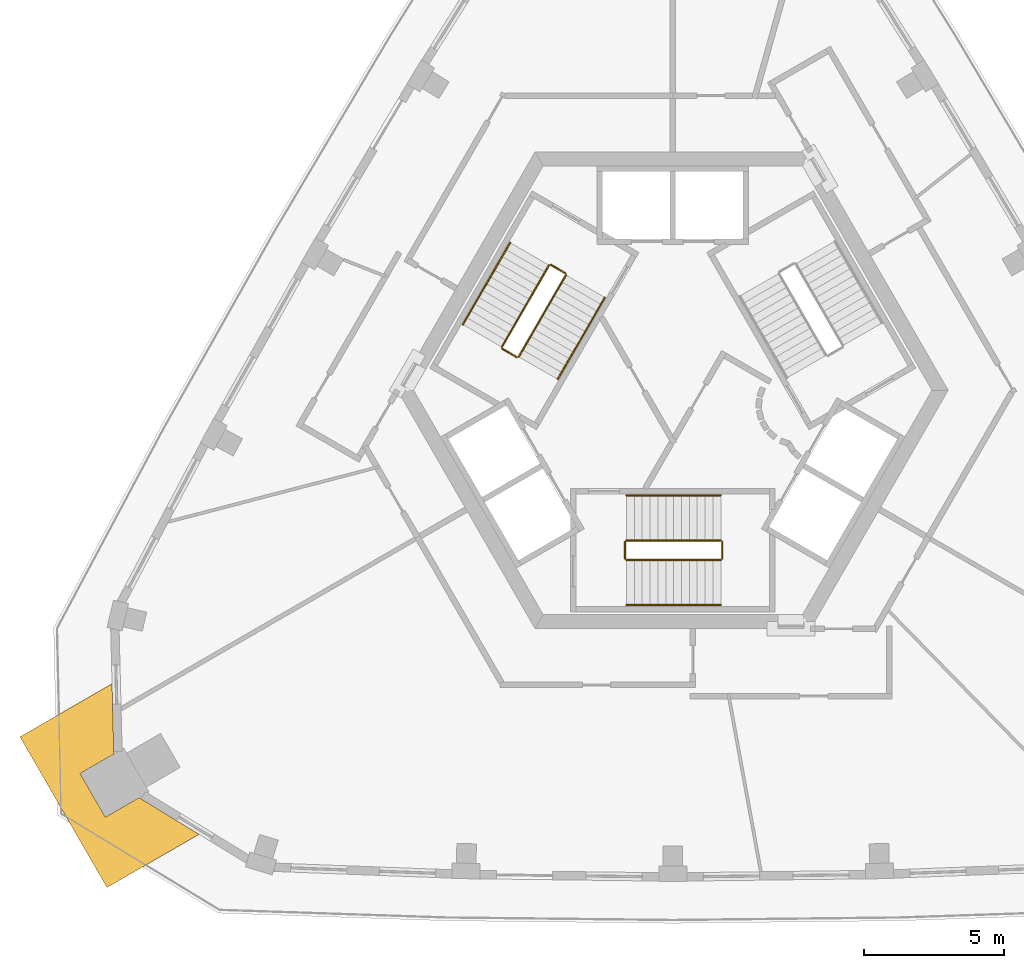
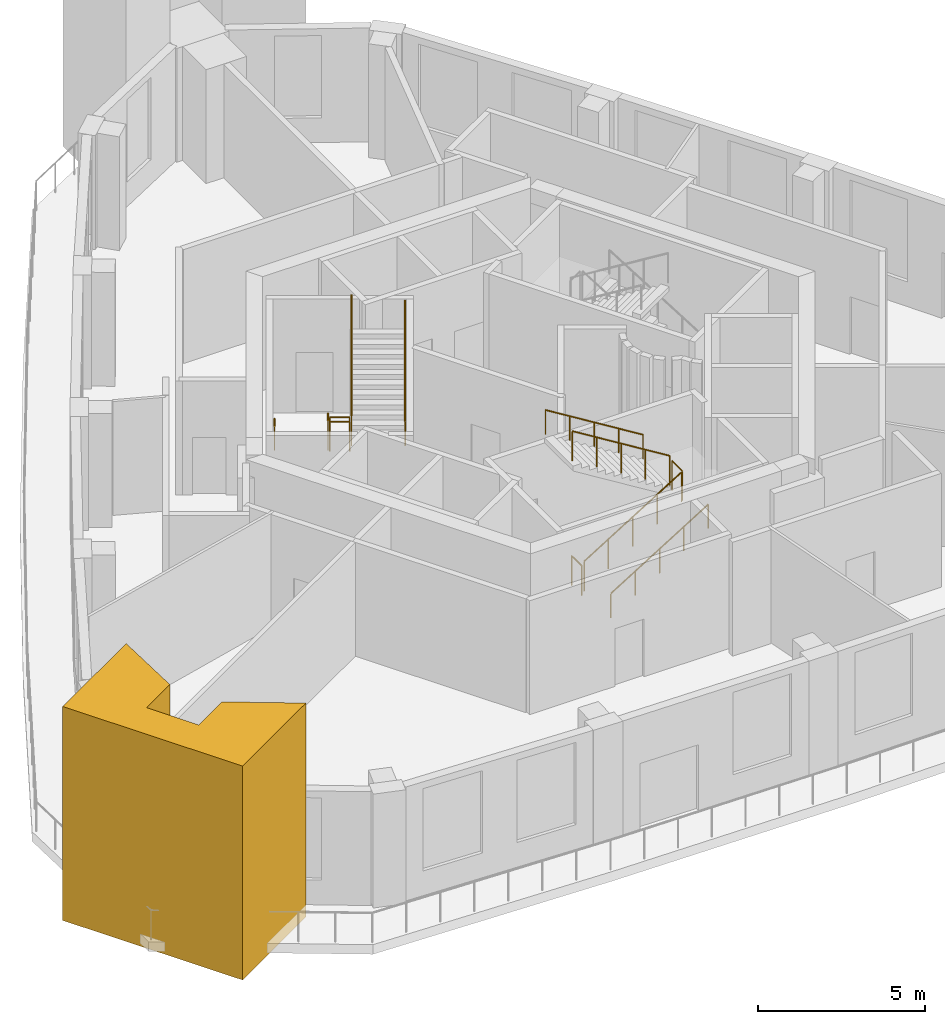
# One storey, part 6 of 7: 12 railings, 1 covering.
"""IFC4 building model written with IfcOpenShell, lengths in metres."""

import ifcopenshell
import ifcopenshell.guid

model = None  # the IFC model being written
_history = None  # IfcOwnerHistory: only IFC2X3 demands one
_inside = {}  # id of a spatial element -> (the spatial element, [elements in it])
_under = {}  # id of a project, library or spatial element -> (it, [spatial elements below it])
_declared = {}  # id of a project -> (the project, [libraries it declares])
_typed = {}  # id of a type object -> (the type object, [elements of that type])
_made_of = {}  # id of a material, layer set ... -> (it, [elements and type objects made of it])


def new_model(schema):
    """Start an empty IFC model of exactly this schema.

    Asked for "IFC4X3", IfcOpenShell would pick the latest addendum, in which some entities
    have other attributes; the version numbers below select the first issue.
    IFC2X3 requires an IfcOwnerHistory on every rooted entity: one is made here for all.
    """
    global model, _history
    if schema == "IFC4X3":
        model = ifcopenshell.file(schema_version=(4, 3, 0, 0))
    else:
        model = ifcopenshell.file(schema=schema)
    _inside.clear()
    _under.clear()
    _declared.clear()
    _typed.clear()
    _made_of.clear()
    _history = None
    if model.schema == "IFC2X3":
        org = make("IfcOrganization", Name="unknown")
        user = make(
            "IfcPersonAndOrganization",
            ThePerson=make("IfcPerson", FamilyName="unknown"),
            TheOrganization=org,
        )
        app = make(
            "IfcApplication",
            ApplicationDeveloper=org,
            Version="unknown",
            ApplicationFullName="unknown",
            ApplicationIdentifier="unknown",
        )
        _history = make(
            "IfcOwnerHistory",
            OwningUser=user,
            OwningApplication=app,
            ChangeAction="ADDED",
            CreationDate=0,
        )
    return model


def make(cls, **values):
    """One entity of the class cls with the attributes given. An attribute that is None is left unset."""
    return model.create_entity(
        cls, **{name: value for name, value in values.items() if value is not None}
    )


def rooted(cls, **values):
    """An entity with a GlobalId (a new one), such as an element, a storey or a relation."""
    return make(cls, GlobalId=ifcopenshell.guid.new(), OwnerHistory=_history, **values)


def si_unit(unit_type, name, prefix=None):
    """IfcSIUnit, for example si_unit("LENGTHUNIT", "METRE", prefix="MILLI")."""
    return make("IfcSIUnit", UnitType=unit_type, Prefix=prefix, Name=name)


def assignment(units):
    """IfcUnitAssignment: the units of a project."""
    return None if units is None else make("IfcUnitAssignment", Units=units)


def point(xyz):
    """IfcCartesianPoint."""
    return None if xyz is None else make("IfcCartesianPoint", Coordinates=xyz)


def direction(xyz):
    """IfcDirection."""
    return None if xyz is None else make("IfcDirection", DirectionRatios=xyz)


def frame(location, z_axis=None, x_axis=None):
    """IfcAxis2Placement3D, a coordinate frame: its origin and axes. An axis left out is left unset."""
    return make(
        "IfcAxis2Placement3D",
        Location=point(location),
        Axis=direction(z_axis),
        RefDirection=direction(x_axis),
    )


def frame_2d(location, x_axis=None):
    """IfcAxis2Placement2D, a coordinate frame in the plane: its origin and x axis."""
    return make(
        "IfcAxis2Placement2D", Location=point(location), RefDirection=direction(x_axis)
    )


def origin():
    """The frame at (0, 0, 0) with its axes left unset."""
    return frame((0.0, 0.0, 0.0))


def origin_2d():
    """The frame at (0, 0) in the plane with its x axis left unset."""
    return frame_2d((0.0, 0.0))


def place(relative_to, where):
    """IfcLocalPlacement: puts the frame where relative to a parent placement (None: the world)."""
    return make(
        "IfcLocalPlacement", PlacementRelTo=relative_to, RelativePlacement=where
    )


def context(
    kind, dimensions, precision=None, world=None, true_north=None, identifier=None
):
    """IfcGeometricRepresentationContext, for example the 3D "Model" context."""
    return make(
        "IfcGeometricRepresentationContext",
        ContextIdentifier=identifier,
        ContextType=kind,
        CoordinateSpaceDimension=dimensions,
        Precision=precision,
        WorldCoordinateSystem=world,
        TrueNorth=true_north,
    )


def subcontext(parent, identifier, kind, view, scale=None):
    """IfcGeometricRepresentationSubContext, for example "Body" below "Model"."""
    return make(
        "IfcGeometricRepresentationSubContext",
        ContextIdentifier=identifier,
        ContextType=kind,
        ParentContext=parent,
        TargetScale=scale,
        TargetView=view,
    )


def project(units=None, contexts=None):
    """IfcProject with its units and contexts."""
    return rooted(
        "IfcProject",
        Name="project",
        RepresentationContexts=contexts,
        UnitsInContext=assignment(units),
    )


def spatial(cls, under=None, at=None, **own):
    """A site, building, storey or space (cls), placed at a placement, below another one or the project."""
    s = rooted(cls, ObjectPlacement=at, **own)
    if under is not None:
        _under.setdefault(under.id(), (under, []))[1].append(s)
    return s


def polyline(points):
    """IfcPolyline through the points."""
    return make("IfcPolyline", Points=[point(p) for p in points])


def profile(cls, at=None, kind="AREA", **sizes):
    """A parametric profile (cls). Its sizes go by their IFC names, for example OverallWidth=200.0."""
    return make(cls, ProfileType=kind, Position=at, **sizes)


def circle(**sizes):
    """IfcCircleProfileDef."""
    return profile("IfcCircleProfileDef", **sizes)


def outline(outer, holes=None, kind="AREA"):
    """IfcArbitraryClosedProfileDef: a profile drawn as a closed curve; with holes, ...WithVoids."""
    if holes is None:
        return make("IfcArbitraryClosedProfileDef", ProfileType=kind, OuterCurve=outer)
    return make(
        "IfcArbitraryProfileDefWithVoids",
        ProfileType=kind,
        OuterCurve=outer,
        InnerCurves=holes,
    )


def extrude(swept, where, along, depth):
    """IfcExtrudedAreaSolid: the profile swept, set in the frame where, extruded along a direction by depth."""
    return make(
        "IfcExtrudedAreaSolid",
        SweptArea=swept,
        Position=where,
        ExtrudedDirection=direction(along),
        Depth=depth,
    )


def shape(context_of_items, identifier, shape_type, items):
    """IfcShapeRepresentation: the items that make up one representation, for example the "Body"."""
    return make(
        "IfcShapeRepresentation",
        ContextOfItems=context_of_items,
        RepresentationIdentifier=identifier,
        RepresentationType=shape_type,
        Items=items,
    )


def material(Name=None, Category=None):
    """IfcMaterial."""
    return make("IfcMaterial", Name=Name, Category=Category)


def made_of(thing, what):
    """Note that an element or type object is made of a material, layer set ...; save() writes the relation."""
    if what is not None:
        _made_of.setdefault(what.id(), (what, []))[1].append(thing)
    return thing


def type_object(cls, material=None, **own):
    """A type object (cls), such as IfcWallType, which elements share."""
    return made_of(rooted(cls, **own), material)


def element(
    cls,
    number,
    at=None,
    inside=None,
    cuts=None,
    type_object=None,
    material=None,
    context=None,
    identifier="Body",
    shape_type=None,
    held_by="IfcProductDefinitionShape",
    body=None,
    shapes=None,
    **own,
):
    """One element of the class cls, such as IfcWall. Its Tag is "e" and its number.

    at: its placement. inside: the storey or other place that contains it. cuts: it is an
    opening in that element (IfcRelVoidsElement). A single representation is given by context,
    identifier, shape_type and body (its items); several are given by shapes. held_by: the class
    of the entity that holds the representations. save() writes the other relations.
    """
    e = rooted(cls, Tag="e%d" % number, ObjectPlacement=at, **own)
    if body is not None:
        shapes = [shape(context, identifier, shape_type, body)]
    if shapes is not None:
        e.Representation = make(held_by, Representations=shapes)
    if inside is not None:
        _inside.setdefault(inside.id(), (inside, []))[1].append(e)
    if cuts is not None:
        rooted(
            "IfcRelVoidsElement", RelatingBuildingElement=cuts, RelatedOpeningElement=e
        )
    if type_object is not None:
        _typed.setdefault(type_object.id(), (type_object, []))[1].append(e)
    return made_of(e, material)


def aggregate(whole, parts):
    """IfcRelAggregates: a whole, such as a stair, and the parts it consists of."""
    return rooted("IfcRelAggregates", RelatingObject=whole, RelatedObjects=parts)


def save(model, path):
    """Write the relations noted so far, then the file.

    IfcRelAggregates (storeys below a building ...), IfcRelContainedInSpatialStructure (elements
    in a storey), IfcRelDefinesByType, IfcRelAssociatesMaterial and IfcRelDeclares: one each for
    every whole, place, type object, material and project.
    """
    for whole, parts in _under.values():
        aggregate(whole, parts)
    for where, things in _inside.values():
        rooted(
            "IfcRelContainedInSpatialStructure",
            RelatedElements=things,
            RelatingStructure=where,
        )
    for kind, things in _typed.values():
        rooted("IfcRelDefinesByType", RelatedObjects=things, RelatingType=kind)
    for what, things in _made_of.values():
        rooted("IfcRelAssociatesMaterial", RelatedObjects=things, RelatingMaterial=what)
    for by, libraries in _declared.values():
        rooted("IfcRelDeclares", RelatingContext=by, RelatedDefinitions=libraries)
    model.write(path)


model = new_model("IFC4")

# Units and contexts
model_context = context("Model", 3, precision=1e-05, world=origin(), true_north=direction((0.0, 1.0)))
body_context = subcontext(model_context, "Body", "Model", "MODEL_VIEW")
ifc_project = project(units=[si_unit("LENGTHUNIT", "METRE"), si_unit("AREAUNIT", "SQUARE_METRE"), si_unit("VOLUMEUNIT", "CUBIC_METRE"), si_unit("PLANEANGLEUNIT", "RADIAN"), si_unit("MASSUNIT", "GRAM", prefix="KILO")], contexts=[model_context])

# Site, building, storey
site_placement = place(None, origin())
site = spatial("IfcSite", under=ifc_project, at=site_placement, CompositionType="ELEMENT")
building_placement = place(site_placement, origin())
building = spatial("IfcBuilding", under=site, at=building_placement, Name="Entoto Arch Interchange Tower", CompositionType="ELEMENT")
storey_placement = place(building_placement, frame((0.0, 0.0, 340.39990234375)))
storey = spatial("IfcBuildingStorey", under=building, at=storey_placement, Name="L80", CompositionType="ELEMENT", Elevation=340.39990234375)

# Covering
ifc_material_1 = material(Name="Board-marked precast concrete C50/60", Category="concrete")
covering_type = type_object("IfcCoveringType", Name="PRECAST FRAME COURSE", PredefinedType="CLADDING", material=ifc_material_1)
covering_placement = place(storey_placement, frame((0.0, 0.0, -0.449951171875)))
element("IfcCovering", 1, at=covering_placement, inside=storey, type_object=covering_type, Name="Corner pilaster SW L80-L81", PredefinedType="CLADDING", context=body_context, shape_type="SweptSolid", body=[
    extrude(outline(polyline([(-20.1669921875, -15.222900390625), (-23.26708984375, -9.85302734375), (-19.986083984375, -7.9599609375), (-19.924072265625, -10.464111328125), (-21.126953125, -11.158935546875), (-20.22705078125, -12.717041015625), (-19.02392578125, -12.02197265625), (-16.885986328125, -13.3291015625), (-20.1669921875, -15.222900390625)])), origin(), (0.0, 0.0, 1.0), 7.800048828125),
])

# Railings
ifc_material_2 = material(Name="Stainless steel 1.4301", Category="steel")
railing_type_1 = type_object("IfcRailingType", Name="STAIR GUARD 1100 STEEL", PredefinedType="GUARDRAIL", material=ifc_material_2)
railing_1_placement = place(storey_placement, frame((-1.64990234375, -3.550048828125, 0.173095703125)))
element("IfcRailing", 2, at=railing_1_placement, inside=storey, type_object=railing_type_1, Name="L80 ST-S stair guard 1", PredefinedType="GUARDRAIL", context=body_context, shape_type="SweptSolid", body=[
    extrude(circle(Radius=0.02392578125, at=origin_2d()), frame((0.0, 0.0, 1.076171875), z_axis=(0.850606129759, 0.0, 0.525803396734), x_axis=(0.0, 1.0, 0.0)), (0.0, 0.0, 1.0), 3.949951171875),
    extrude(circle(Radius=0.02099609375, at=origin_2d()), origin(), (0.0, 0.0, 1.0), 1.052001953125),
    extrude(circle(Radius=0.02099609375, at=origin_2d()), frame((0.83984375, 0.0, 0.519287109375)), (0.0, 0.0, 1.0), 1.052001953125),
    extrude(circle(Radius=0.02099609375, at=origin_2d()), frame((1.679931640625, 0.0, 1.03857421875)), (0.0, 0.0, 1.0), 1.052001953125),
    extrude(circle(Radius=0.02099609375, at=origin_2d()), frame((2.52001953125, 0.0, 1.5576171875)), (0.0, 0.0, 1.0), 1.052001953125),
    extrude(circle(Radius=0.02099609375, at=origin_2d()), frame((3.35986328125, 0.0, 2.076904296875)), (0.0, 0.0, 1.0), 1.052001953125),
])
railing_2_placement = place(storey_placement, frame((1.760009765625, -3.5, 2.25)))
element("IfcRailing", 3, at=railing_2_placement, inside=storey, type_object=railing_type_1, Name="L80 ST-S stair guard 2", PredefinedType="GUARDRAIL", context=body_context, shape_type="SweptSolid", body=[
    extrude(circle(Radius=0.02392578125, at=origin_2d()), frame((0.0, 0.0, 1.076171875), z_axis=(0.0, 1.0, 0.0), x_axis=(-1.0, 0.0, 0.0)), (0.0, 0.0, 1.0), 0.60009765625),
    extrude(circle(Radius=0.02099609375, at=origin_2d()), origin(), (0.0, 0.0, 1.0), 1.052001953125),
    extrude(circle(Radius=0.02099609375, at=origin_2d()), frame((0.0, 0.60009765625, 0.0)), (0.0, 0.0, 1.0), 1.052001953125),
])
railing_3_placement = place(storey_placement, frame((1.7099609375, -2.85009765625, 2.423095703125)))
element("IfcRailing", 4, at=railing_3_placement, inside=storey, type_object=railing_type_1, Name="L80 ST-S stair guard 3", PredefinedType="GUARDRAIL", context=body_context, shape_type="SweptSolid", body=[
    extrude(circle(Radius=0.02392578125, at=origin_2d()), frame((0.0, 0.0, 1.076171875), z_axis=(-0.850606129759, 0.0, 0.525803396734), x_axis=(0.0, -1.0, 0.0)), (0.0, 0.0, 1.0), 3.949951171875),
    extrude(circle(Radius=0.02099609375, at=origin_2d()), origin(), (0.0, 0.0, 1.0), 1.052001953125),
    extrude(circle(Radius=0.02099609375, at=origin_2d()), frame((-0.83984375, 0.0, 0.519287109375)), (0.0, 0.0, 1.0), 1.052001953125),
    extrude(circle(Radius=0.02099609375, at=origin_2d()), frame((-1.679931640625, 0.0, 1.03857421875)), (0.0, 0.0, 1.0), 1.052001953125),
    extrude(circle(Radius=0.02099609375, at=origin_2d()), frame((-2.52001953125, 0.0, 1.5576171875)), (0.0, 0.0, 1.0), 1.052001953125),
    extrude(circle(Radius=0.02099609375, at=origin_2d()), frame((-3.35986328125, 0.0, 2.076904296875)), (0.0, 0.0, 1.0), 1.052001953125),
])
railing_4_placement = place(storey_placement, frame((-1.699951171875, -3.5, 0.0)))
element("IfcRailing", 5, at=railing_4_placement, inside=storey, type_object=railing_type_1, Name="L80 ST-S stair guard 4", PredefinedType="GUARDRAIL", context=body_context, shape_type="SweptSolid", body=[
    extrude(circle(Radius=0.02392578125, at=origin_2d()), frame((0.0, 0.0, 1.076171875), z_axis=(0.0, 1.0, 0.0), x_axis=(-1.0, 0.0, 0.0)), (0.0, 0.0, 1.0), 0.60009765625),
    extrude(circle(Radius=0.02099609375, at=origin_2d()), origin(), (0.0, 0.0, 1.0), 1.052001953125),
    extrude(circle(Radius=0.02099609375, at=origin_2d()), frame((0.0, 0.60009765625, 0.0)), (0.0, 0.0, 1.0), 1.052001953125),
])
railing_5_placement = place(storey_placement, frame((-4.41455078125, 6.953857421875, 0.173095703125)))
element("IfcRailing", 6, at=railing_5_placement, inside=storey, type_object=railing_type_1, Name="L80 ST-NW stair guard 1", PredefinedType="GUARDRAIL", context=body_context, shape_type="SweptSolid", body=[
    extrude(circle(Radius=0.02392578125, at=origin_2d()), frame((0.0, 0.0, 1.076171875), z_axis=(-0.425307743487, -0.736639687092, 0.525809180911), x_axis=(0.866021014662, -0.500007602105, 0.0)), (0.0, 0.0, 1.0), 3.949951171875),
    extrude(circle(Radius=0.02099609375, at=origin_2d()), origin(), (0.0, 0.0, 1.0), 1.052001953125),
    extrude(circle(Radius=0.02099609375, at=origin_2d()), frame((-0.419921875, -0.7275390625, 0.519287109375)), (0.0, 0.0, 1.0), 1.052001953125),
    extrude(circle(Radius=0.02099609375, at=origin_2d()), frame((-0.83984375, -1.454833984375, 1.03857421875)), (0.0, 0.0, 1.0), 1.052001953125),
    extrude(circle(Radius=0.02099609375, at=origin_2d()), frame((-1.260009765625, -2.18212890625, 1.5576171875)), (0.0, 0.0, 1.0), 1.052001953125),
    extrude(circle(Radius=0.02099609375, at=origin_2d()), frame((-1.679931640625, -2.90966796875, 2.076904296875)), (0.0, 0.0, 1.0), 1.052001953125),
])
railing_6_placement = place(storey_placement, frame((-6.076171875, 3.975830078125, 2.25)))
element("IfcRailing", 7, at=railing_6_placement, inside=storey, type_object=railing_type_1, Name="L80 ST-NW stair guard 2", PredefinedType="GUARDRAIL", context=body_context, shape_type="SweptSolid", body=[
    extrude(circle(Radius=0.02392578125, at=origin_2d()), frame((0.0, 0.0, 1.076171875), z_axis=(0.865955154139, -0.50012165622, 0.0), x_axis=(0.50012165622, 0.865955154139, 0.0)), (0.0, 0.0, 1.0), 0.599853515625),
    extrude(circle(Radius=0.02099609375, at=origin_2d()), origin(), (0.0, 0.0, 1.0), 1.052001953125),
    extrude(circle(Radius=0.02099609375, at=origin_2d()), frame((0.51953125, -0.300048828125, 0.0)), (0.0, 0.0, 1.0), 1.052001953125),
])
railing_7_placement = place(storey_placement, frame((-5.48828125, 3.694091796875, 2.423095703125)))
element("IfcRailing", 8, at=railing_7_placement, inside=storey, type_object=railing_type_1, Name="L80 ST-NW stair guard 3", PredefinedType="GUARDRAIL", context=body_context, shape_type="SweptSolid", body=[
    extrude(circle(Radius=0.02392578125, at=origin_2d()), frame((0.0, 0.0, 1.076171875), z_axis=(0.425288379326, 0.736667954249, 0.525785240943), x_axis=(-0.866039179741, 0.499976138585, 0.0)), (0.0, 0.0, 1.0), 3.9501953125),
    extrude(circle(Radius=0.02099609375, at=origin_2d()), origin(), (0.0, 0.0, 1.0), 1.052001953125),
    extrude(circle(Radius=0.02099609375, at=origin_2d()), frame((0.419921875, 0.7275390625, 0.519287109375)), (0.0, 0.0, 1.0), 1.052001953125),
    extrude(circle(Radius=0.02099609375, at=origin_2d()), frame((0.83984375, 1.455078125, 1.03857421875)), (0.0, 0.0, 1.0), 1.052001953125),
    extrude(circle(Radius=0.02099609375, at=origin_2d()), frame((1.260009765625, 2.182373046875, 1.5576171875)), (0.0, 0.0, 1.0), 1.052001953125),
    extrude(circle(Radius=0.02099609375, at=origin_2d()), frame((1.679931640625, 2.909912109375, 2.076904296875)), (0.0, 0.0, 1.0), 1.052001953125),
])
railing_8_placement = place(storey_placement, frame((-4.34619140625, 6.97216796875, 0.0)))
element("IfcRailing", 9, at=railing_8_placement, inside=storey, type_object=railing_type_1, Name="L80 ST-NW stair guard 4", PredefinedType="GUARDRAIL", context=body_context, shape_type="SweptSolid", body=[
    extrude(circle(Radius=0.02392578125, at=origin_2d()), frame((0.0, 0.0, 1.076171875), z_axis=(0.866232998003, -0.499640263761, 0.0), x_axis=(0.499640263761, 0.866232998003, 0.0)), (0.0, 0.0, 1.0), 0.60009765625),
    extrude(circle(Radius=0.02099609375, at=origin_2d()), origin(), (0.0, 0.0, 1.0), 1.052001953125),
    extrude(circle(Radius=0.02099609375, at=origin_2d()), frame((0.519775390625, -0.2998046875, 0.0)), (0.0, 0.0, 1.0), 1.052001953125),
])
railing_type_2 = type_object("IfcRailingType", Name="STAIR HANDRAIL 900 STEEL", PredefinedType="HANDRAIL", material=ifc_material_2)
railing_9_placement = place(storey_placement, frame((-1.64990234375, -5.14990234375, 0.173095703125)))
element("IfcRailing", 10, at=railing_9_placement, inside=storey, type_object=railing_type_2, Name="L80 ST-S stair handrail 1", PredefinedType="HANDRAIL", context=body_context, shape_type="SweptSolid", body=[
    extrude(circle(Radius=0.02392578125, at=origin_2d()), frame((0.0, 0.0, 0.8759765625), z_axis=(0.850606129759, 0.0, 0.525803396734), x_axis=(0.0, 1.0, 0.0)), (0.0, 0.0, 1.0), 3.949951171875),
    extrude(circle(Radius=0.02099609375, at=origin_2d()), origin(), (0.0, 0.0, 1.0), 0.851806640625),
    extrude(circle(Radius=0.02099609375, at=origin_2d()), frame((0.83984375, 0.0, 0.519287109375)), (0.0, 0.0, 1.0), 0.851806640625),
    extrude(circle(Radius=0.02099609375, at=origin_2d()), frame((1.679931640625, 0.0, 1.03857421875)), (0.0, 0.0, 1.0), 0.851806640625),
    extrude(circle(Radius=0.02099609375, at=origin_2d()), frame((2.52001953125, 0.0, 1.5576171875)), (0.0, 0.0, 1.0), 0.851806640625),
    extrude(circle(Radius=0.02099609375, at=origin_2d()), frame((3.35986328125, 0.0, 2.076904296875)), (0.0, 0.0, 1.0), 0.851806640625),
])
railing_10_placement = place(storey_placement, frame((1.7099609375, -1.25, 2.423095703125)))
element("IfcRailing", 11, at=railing_10_placement, inside=storey, type_object=railing_type_2, Name="L80 ST-S stair handrail 2", PredefinedType="HANDRAIL", context=body_context, shape_type="SweptSolid", body=[
    extrude(circle(Radius=0.02392578125, at=origin_2d()), frame((0.0, 0.0, 0.8759765625), z_axis=(-0.850606129759, 0.0, 0.525803396734), x_axis=(0.0, -1.0, 0.0)), (0.0, 0.0, 1.0), 3.949951171875),
    extrude(circle(Radius=0.02099609375, at=origin_2d()), origin(), (0.0, 0.0, 1.0), 0.851806640625),
    extrude(circle(Radius=0.02099609375, at=origin_2d()), frame((-0.83984375, 0.0, 0.519287109375)), (0.0, 0.0, 1.0), 0.851806640625),
    extrude(circle(Radius=0.02099609375, at=origin_2d()), frame((-1.679931640625, 0.0, 1.03857421875)), (0.0, 0.0, 1.0), 0.851806640625),
    extrude(circle(Radius=0.02099609375, at=origin_2d()), frame((-2.52001953125, 0.0, 1.5576171875)), (0.0, 0.0, 1.0), 0.851806640625),
    extrude(circle(Radius=0.02099609375, at=origin_2d()), frame((-3.35986328125, 0.0, 2.076904296875)), (0.0, 0.0, 1.0), 0.851806640625),
])
railing_11_placement = place(storey_placement, frame((-5.800048828125, 7.75390625, 0.173095703125)))
element("IfcRailing", 12, at=railing_11_placement, inside=storey, type_object=railing_type_2, Name="L80 ST-NW stair handrail 1", PredefinedType="HANDRAIL", context=body_context, shape_type="SweptSolid", body=[
    extrude(circle(Radius=0.02392578125, at=origin_2d()), frame((0.0, 0.0, 0.8759765625), z_axis=(-0.425288379326, -0.736667954249, 0.525785240943), x_axis=(0.866039179741, -0.499976138585, 0.0)), (0.0, 0.0, 1.0), 3.9501953125),
    extrude(circle(Radius=0.02099609375, at=origin_2d()), origin(), (0.0, 0.0, 1.0), 0.851806640625),
    extrude(circle(Radius=0.02099609375, at=origin_2d()), frame((-0.419921875, -0.7275390625, 0.519287109375)), (0.0, 0.0, 1.0), 0.851806640625),
    extrude(circle(Radius=0.02099609375, at=origin_2d()), frame((-0.83984375, -1.455078125, 1.03857421875)), (0.0, 0.0, 1.0), 0.851806640625),
    extrude(circle(Radius=0.02099609375, at=origin_2d()), frame((-1.260009765625, -2.182373046875, 1.5576171875)), (0.0, 0.0, 1.0), 0.851806640625),
    extrude(circle(Radius=0.02099609375, at=origin_2d()), frame((-1.679931640625, -2.909912109375, 2.076904296875)), (0.0, 0.0, 1.0), 0.851806640625),
])
railing_12_placement = place(storey_placement, frame((-4.1025390625, 2.89404296875, 2.423095703125)))
element("IfcRailing", 13, at=railing_12_placement, inside=storey, type_object=railing_type_2, Name="L80 ST-NW stair handrail 2", PredefinedType="HANDRAIL", context=body_context, shape_type="SweptSolid", body=[
    extrude(circle(Radius=0.02392578125, at=origin_2d()), frame((0.0, 0.0, 0.8759765625), z_axis=(0.425288379326, 0.736667954249, 0.525785240943), x_axis=(-0.866039179741, 0.499976138585, 0.0)), (0.0, 0.0, 1.0), 3.9501953125),
    extrude(circle(Radius=0.02099609375, at=origin_2d()), origin(), (0.0, 0.0, 1.0), 0.851806640625),
    extrude(circle(Radius=0.02099609375, at=origin_2d()), frame((0.419921875, 0.7275390625, 0.519287109375)), (0.0, 0.0, 1.0), 0.851806640625),
    extrude(circle(Radius=0.02099609375, at=origin_2d()), frame((0.83984375, 1.455078125, 1.03857421875)), (0.0, 0.0, 1.0), 0.851806640625),
    extrude(circle(Radius=0.02099609375, at=origin_2d()), frame((1.260009765625, 2.182373046875, 1.5576171875)), (0.0, 0.0, 1.0), 0.851806640625),
    extrude(circle(Radius=0.02099609375, at=origin_2d()), frame((1.679931640625, 2.909912109375, 2.076904296875)), (0.0, 0.0, 1.0), 0.851806640625),
])

save(model, "model.ifc")
